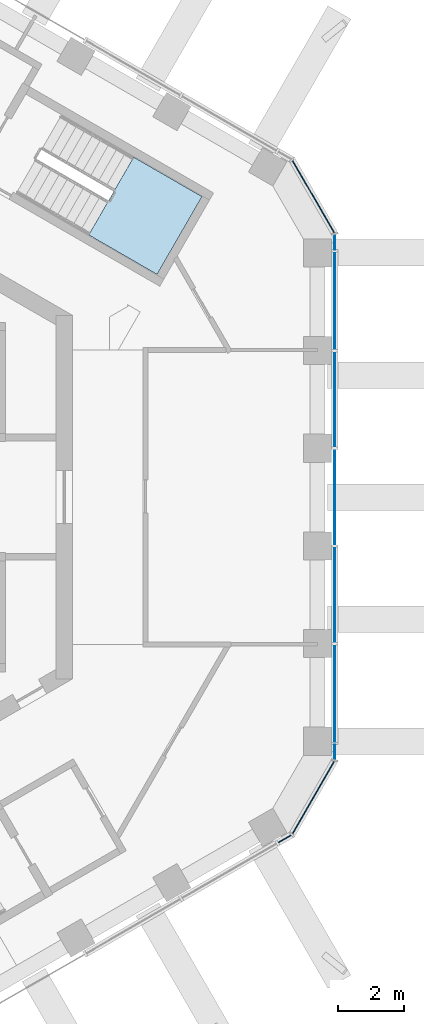
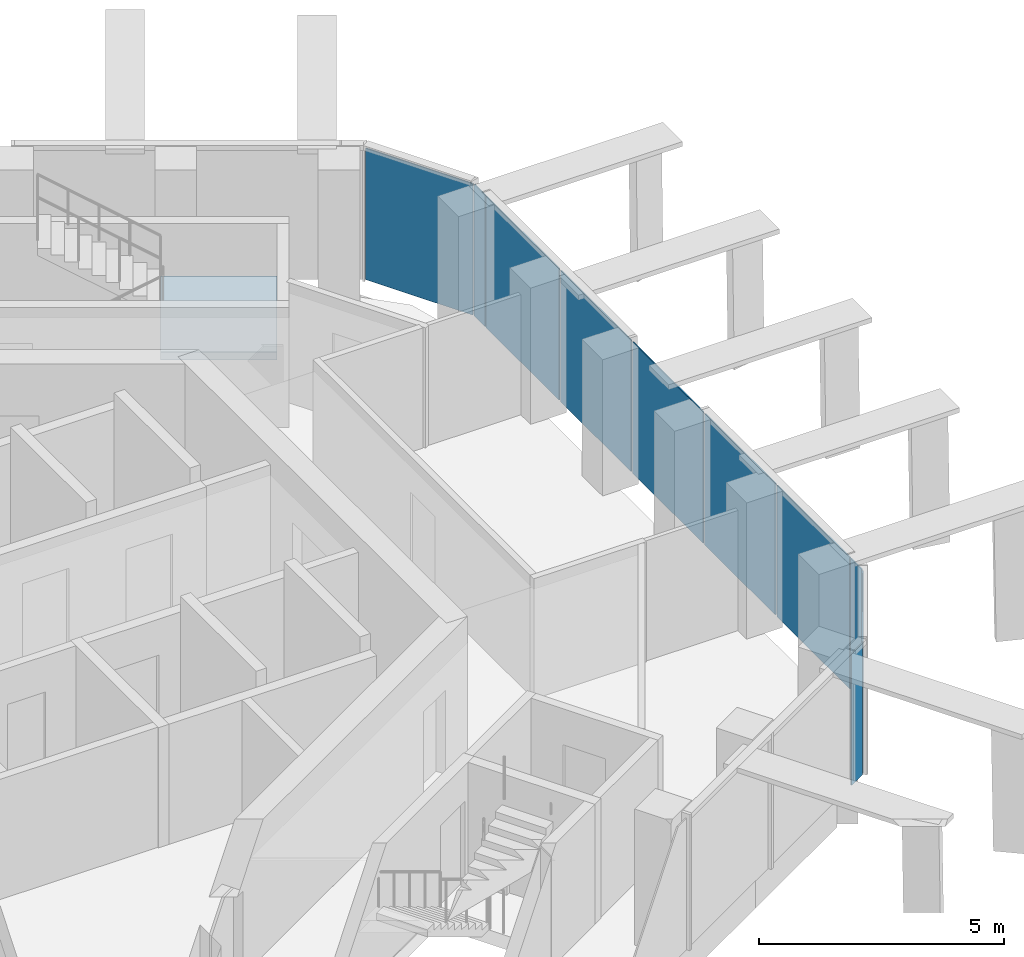
# One storey, part 9 of 17: 10 plates, 1 slab, 4 elements without a shape of their own.
"""IFC4 building model written with IfcOpenShell, lengths in metres."""

from ifc_helpers import new_model, si_unit, direction, frame, origin, origin_2d, place, context, subcontext, project, spatial, polyline, rectangle, outline, extrude, material, layer, layer_set, type_object, element, aggregate, save


model = new_model("IFC4")

# Units and contexts
model_context = context("Model", 3, precision=1e-05, world=origin(), true_north=direction((0.0, 1.0)))
body_context = subcontext(model_context, "Body", "Model", "MODEL_VIEW")
ifc_project = project(units=[si_unit("LENGTHUNIT", "METRE"), si_unit("AREAUNIT", "SQUARE_METRE"), si_unit("VOLUMEUNIT", "CUBIC_METRE"), si_unit("PLANEANGLEUNIT", "RADIAN"), si_unit("MASSUNIT", "GRAM", prefix="KILO")], contexts=[model_context])

# Site, building, storey
site_placement = place(None, origin())
site = spatial("IfcSite", under=ifc_project, at=site_placement, CompositionType="ELEMENT")
building_placement = place(site_placement, origin())
building = spatial("IfcBuilding", under=site, at=building_placement, Name="Ayvan Gate Tower", CompositionType="ELEMENT")
storey_placement = place(building_placement, frame((0.0, 0.0, 249.5)))
storey = spatial("IfcBuildingStorey", under=building, at=storey_placement, Name="L67", CompositionType="ELEMENT", Elevation=249.5)

# Stair, slab
ifc_material_1 = material(Name="Concrete C40/50", Category="concrete")
stair_type = type_object("IfcStairType", Name="ST-EXIT", PredefinedType="HALF_TURN_STAIR", material=ifc_material_1)
stair_placement = place(storey_placement, origin())
stair = element("IfcStair", 1, at=stair_placement, inside=storey, type_object=stair_type, Name="L67 Exit Stair S1", PredefinedType="HALF_TURN_STAIR")
ifc_layer_1 = layer(ifc_material_1, 0.199951171875)
ifc_layer_set_1 = layer_set([ifc_layer_1], Name="Concrete C40/50")
slab_type = type_object("IfcSlabType", Name="SL-LANDING-200", PredefinedType="LANDING", material=ifc_layer_set_1)
slab_placement = place(storey_placement, frame((0.0, 0.0, 1.5)))
slab = element("IfcSlab", 2, at=slab_placement, type_object=slab_type, Name="STS1 landing 1", PredefinedType="LANDING", context=body_context, shape_type="SweptSolid", body=[
    extrude(outline(polyline([(9.988525390625, 7.91064453125), (12.049560546875, 6.720458984375), (13.404541015625, 9.0673828125), (11.343505859375, 10.257568359375), (9.988525390625, 7.91064453125)])), origin(), (0.0, 0.0, 1.0), 0.199951171875),
])
aggregate(stair, [slab])

# Curtain wall, plates
ifc_material_2 = material(Name="Bronze anodised aluminium", Category="aluminium")
ifc_layer_2 = layer(ifc_material_2, 0.199951171875)
ifc_layer_set_2 = layer_set([ifc_layer_2], Name="Bronze anodised aluminium")
curtain_wall_type_1 = type_object("IfcCurtainWallType", Name="Stick curtain wall CW-2", PredefinedType="NOTDEFINED", material=ifc_layer_set_2)
curtain_wall_1_placement = place(storey_placement, origin())
curtain_wall_1 = element("IfcCurtainWall", 3, at=curtain_wall_1_placement, inside=storey, type_object=curtain_wall_type_1, Name="Stick curtain wall CW-2 L67", PredefinedType="NOTDEFINED")
ifc_material_3 = material(Name="Clear low-iron laminated glass", Category="glass")
ifc_layer_3 = layer(ifc_material_3, 0.028076171875)
ifc_layer_set_3 = layer_set([ifc_layer_3], Name="Clear low-iron laminated glass")
plate_type_1 = type_object("IfcPlateType", Name="Stick curtain wall CW-2 glass panel", PredefinedType="CURTAIN_PANEL", material=ifc_layer_set_3)
plate_1_placement = place(storey_placement, frame((17.41259765625, -5.9453125, 0.0), z_axis=(0.0, 0.0, 1.0), x_axis=(0.0, 1.0, 0.0)))
plate_1 = element("IfcPlate", 4, at=plate_1_placement, type_object=plate_type_1, Name="CW-2 glass panel 1", PredefinedType="CURTAIN_PANEL", context=body_context, shape_type="SweptSolid", body=[
    extrude(rectangle(XDim=2.97998046875, YDim=0.028076171875, at=origin_2d()), origin(), (0.0, 0.0, 1.0), 3.280029296875),
])
plate_2_placement = place(storey_placement, frame((17.41259765625, -2.94677734375, 0.0), z_axis=(0.0, 0.0, 1.0), x_axis=(0.0, 1.0, 0.0)))
plate_2 = element("IfcPlate", 5, at=plate_2_placement, type_object=plate_type_1, Name="CW-2 glass panel 2", PredefinedType="CURTAIN_PANEL", context=body_context, shape_type="SweptSolid", body=[
    extrude(rectangle(XDim=2.876953125, YDim=0.028076171875, at=origin_2d()), origin(), (0.0, 0.0, 1.0), 3.280029296875),
])
plate_3_placement = place(storey_placement, frame((17.41259765625, 0.000244140625, 0.0), z_axis=(0.0, 0.0, 1.0), x_axis=(0.0, 1.0, 0.0)))
plate_3 = element("IfcPlate", 6, at=plate_3_placement, type_object=plate_type_1, Name="CW-2 glass panel 3", PredefinedType="CURTAIN_PANEL", context=body_context, shape_type="SweptSolid", body=[
    extrude(rectangle(XDim=2.876953125, YDim=0.028076171875, at=origin_2d()), origin(), (0.0, 0.0, 1.0), 3.280029296875),
])
plate_4_placement = place(storey_placement, frame((17.41259765625, 2.94677734375, 0.0), z_axis=(0.0, 0.0, 1.0), x_axis=(0.0, 1.0, 0.0)))
plate_4 = element("IfcPlate", 7, at=plate_4_placement, type_object=plate_type_1, Name="CW-2 glass panel 4", PredefinedType="CURTAIN_PANEL", context=body_context, shape_type="SweptSolid", body=[
    extrude(rectangle(XDim=2.8759765625, YDim=0.028076171875, at=origin_2d()), origin(), (0.0, 0.0, 1.0), 3.280029296875),
])
plate_5_placement = place(storey_placement, frame((17.41259765625, 5.945068359375, 0.0), z_axis=(0.0, 0.0, 1.0), x_axis=(0.0, 1.0, 0.0)))
plate_5 = element("IfcPlate", 8, at=plate_5_placement, type_object=plate_type_1, Name="CW-2 glass panel 5", PredefinedType="CURTAIN_PANEL", context=body_context, shape_type="SweptSolid", body=[
    extrude(rectangle(XDim=2.980712890625, YDim=0.028076171875, at=origin_2d()), origin(), (0.0, 0.0, 1.0), 3.280029296875),
])
aggregate(curtain_wall_1, [plate_1, plate_2, plate_3, plate_4, plate_5])

ifc_layer_4 = layer(ifc_material_2, 0.199951171875)
ifc_layer_set_4 = layer_set([ifc_layer_4], Name="Bronze anodised aluminium")
curtain_wall_type_2 = type_object("IfcCurtainWallType", Name="Stick curtain wall CW-6", PredefinedType="NOTDEFINED", material=ifc_layer_set_4)
curtain_wall_2_placement = place(storey_placement, origin())
curtain_wall_2 = element("IfcCurtainWall", 9, at=curtain_wall_2_placement, inside=storey, type_object=curtain_wall_type_2, Name="Stick curtain wall CW-6 L67", PredefinedType="NOTDEFINED")
ifc_layer_5 = layer(ifc_material_3, 0.028076171875)
ifc_layer_set_5 = layer_set([ifc_layer_5], Name="Clear low-iron laminated glass")
plate_type_2 = type_object("IfcPlateType", Name="Stick curtain wall CW-6 glass panel", PredefinedType="CURTAIN_PANEL", material=ifc_layer_set_5)
plate_6_placement = place(storey_placement, frame((15.90478515625, -10.306884765625, 0.0), z_axis=(0.0, 0.0, 1.0), x_axis=(0.866025403784, 0.5, 0.0)))
plate_6 = element("IfcPlate", 10, at=plate_6_placement, type_object=plate_type_2, Name="CW-6 glass panel 1", PredefinedType="CURTAIN_PANEL", context=body_context, shape_type="SweptSolid", body=[
    extrude(rectangle(XDim=0.449951171875, YDim=0.028076171875, at=origin_2d()), origin(), (0.0, 0.0, 1.0), 3.280029296875),
])
plate_7_placement = place(storey_placement, frame((16.766845703125, -9.0634765625, 0.0), z_axis=(0.0, 0.0, 1.0), x_axis=(0.5, 0.866025403784, 0.0)))
plate_7 = element("IfcPlate", 11, at=plate_7_placement, type_object=plate_type_2, Name="CW-6 glass panel 2", PredefinedType="CURTAIN_PANEL", context=body_context, shape_type="SweptSolid", body=[
    extrude(rectangle(XDim=2.532470703125, YDim=0.028076171875, at=origin_2d()), origin(), (0.0, 0.0, 1.0), 3.280029296875),
])
plate_8_placement = place(storey_placement, frame((17.41259765625, -7.6953125, 0.0), z_axis=(0.0, 0.0, 1.0), x_axis=(0.0, 1.0, 0.0)))
plate_8 = element("IfcPlate", 12, at=plate_8_placement, type_object=plate_type_2, Name="CW-6 glass panel 3", PredefinedType="CURTAIN_PANEL", context=body_context, shape_type="SweptSolid", body=[
    extrude(rectangle(XDim=0.449951171875, YDim=0.028076171875, at=origin_2d()), origin(), (0.0, 0.0, 1.0), 3.280029296875),
])
aggregate(curtain_wall_2, [plate_6, plate_7, plate_8])

curtain_wall_3_placement = place(storey_placement, origin())
curtain_wall_3 = element("IfcCurtainWall", 13, at=curtain_wall_3_placement, inside=storey, type_object=curtain_wall_type_2, Name="Stick curtain wall CW-6 L67", PredefinedType="NOTDEFINED")
plate_9_placement = place(storey_placement, frame((17.41259765625, 7.6953125, 0.0), z_axis=(0.0, 0.0, 1.0), x_axis=(0.0, 1.0, 0.0)))
plate_9 = element("IfcPlate", 14, at=plate_9_placement, type_object=plate_type_2, Name="CW-6 glass panel 1", PredefinedType="CURTAIN_PANEL", context=body_context, shape_type="SweptSolid", body=[
    extrude(rectangle(XDim=0.449951171875, YDim=0.028076171875, at=origin_2d()), origin(), (0.0, 0.0, 1.0), 3.280029296875),
])
plate_10_placement = place(storey_placement, frame((16.766845703125, 9.0634765625, 0.0), z_axis=(0.0, 0.0, 1.0), x_axis=(-0.5, 0.866025403784, 0.0)))
plate_10 = element("IfcPlate", 15, at=plate_10_placement, type_object=plate_type_2, Name="CW-6 glass panel 2", PredefinedType="CURTAIN_PANEL", context=body_context, shape_type="SweptSolid", body=[
    extrude(rectangle(XDim=2.532470703125, YDim=0.028076171875, at=origin_2d()), origin(), (0.0, 0.0, 1.0), 3.280029296875),
])
aggregate(curtain_wall_3, [plate_9, plate_10])

save(model, "model.ifc")
